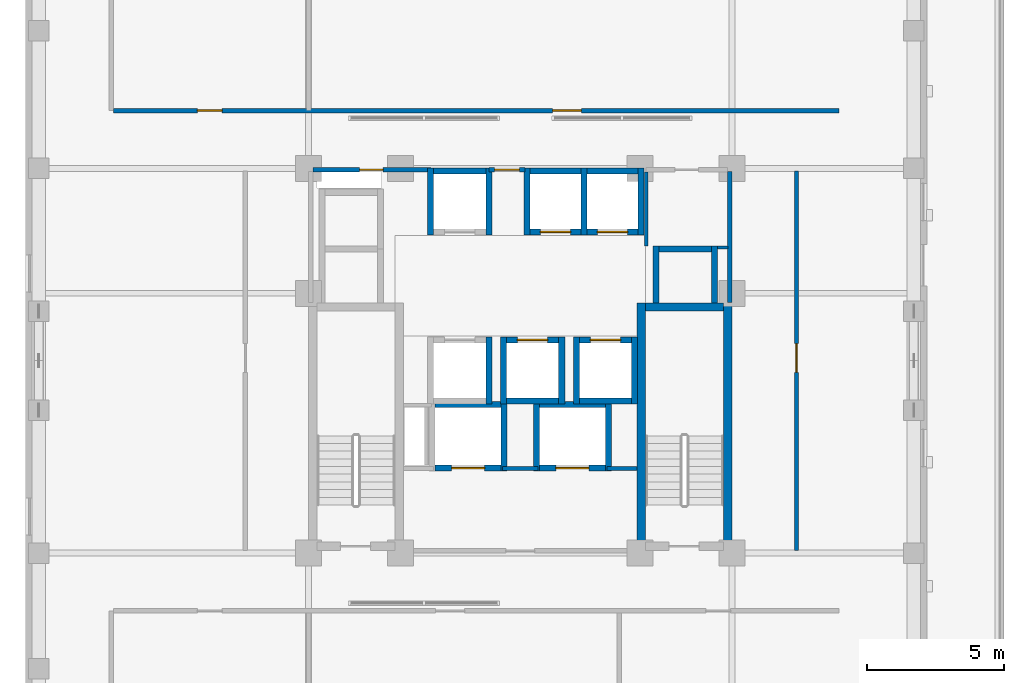
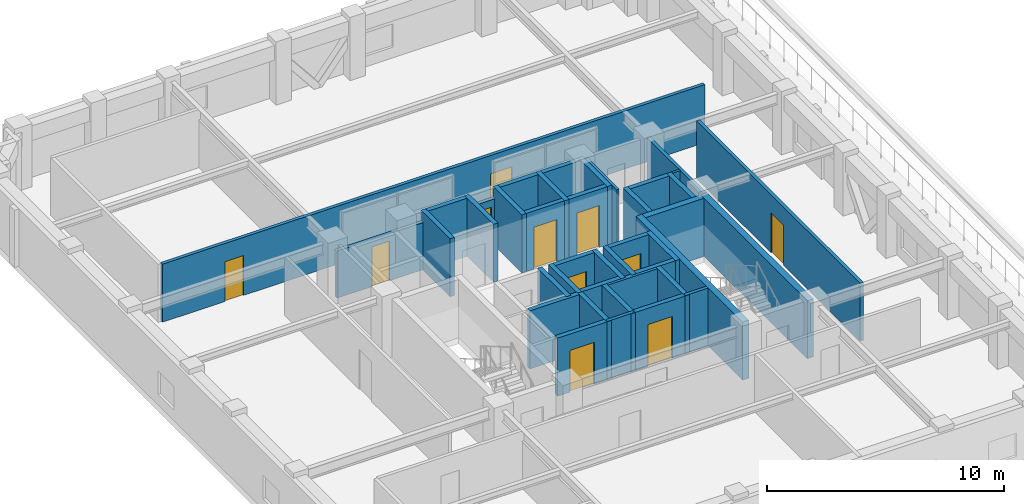
# One storey, part 9 of 15: 41 walls, 11 doors, 11 openings.
"""IFC4 building model written with IfcOpenShell, lengths in metres."""

from ifc_helpers import new_model, si_unit, derived_unit, direction, frame, frame_2d, origin, place, context, subcontext, project, spatial, rectangle, extrude, material, layer, layer_set, type_object, element, fill, save


model = new_model("IFC4")

# Units and contexts
model_context = context("Model", 3, precision=1e-05, world=origin(), true_north=direction((0.0, 1.0)))
body_context = subcontext(model_context, "Body", "Model", "MODEL_VIEW")
ifc_project = project(units=[si_unit("LENGTHUNIT", "METRE"), si_unit("AREAUNIT", "SQUARE_METRE"), si_unit("VOLUMEUNIT", "CUBIC_METRE"), si_unit("PLANEANGLEUNIT", "RADIAN"), si_unit("MASSUNIT", "GRAM", prefix="KILO"), derived_unit("THERMALTRANSMITTANCEUNIT", [(si_unit("MASSUNIT", "GRAM", prefix="KILO"), 1), (si_unit("TIMEUNIT", "SECOND"), -3), (si_unit("THERMODYNAMICTEMPERATUREUNIT", "KELVIN"), -1)])], contexts=[model_context])

# Site, building, storey
site_placement = place(None, origin())
site = spatial("IfcSite", under=ifc_project, at=site_placement, CompositionType="ELEMENT")
building_placement = place(site_placement, origin())
building = spatial("IfcBuilding", under=site, at=building_placement, Name="Korrvale Station Residences", CompositionType="ELEMENT")
storey_placement = place(building_placement, frame((0.0, 0.0, 124.39990234375)))
storey = spatial("IfcBuildingStorey", under=building, at=storey_placement, Name="L35", CompositionType="ELEMENT", Elevation=124.39990234375)

# Walls
ifc_material_1 = material(Name="Concrete C60/75", Category="concrete")
ifc_layer_1 = layer(ifc_material_1, 0.300048828125, Name="Concrete C60/75")
ifc_layer_set_1 = layer_set([ifc_layer_1], Name="Concrete C60/75")
wall_type_1 = type_object("IfcWallType", Name="WAL-CORE-300-C60", PredefinedType="SHEAR", material=ifc_layer_set_1)
for number, where, z_axis, x_axis, name in (
    (1, (29.89990234375, 15.10009765625, 0.0), (0.0, 0.0, 1.0), (0.0, 1.0, 0.0), "L35 ST-2 Core Shear Wall West"),
    (2, (33.050048828125, 15.10009765625, 0.0), (0.0, 0.0, 1.0), (0.0, 1.0, 0.0), "L35 ST-2 Core Shear Wall East"),
):
    element("IfcWall", number, at=place(storey_placement, frame(where, z_axis=z_axis, x_axis=x_axis)), inside=storey, type_object=wall_type_1, Name=name, PredefinedType="SHEAR", context=body_context, shape_type="SweptSolid", body=[
        extrude(rectangle(XDim=9.0, YDim=0.300048828125, at=frame_2d((4.5, 0.0))), origin(), (0.0, 0.0, 1.0), 2.989990234375),
    ])
wall_1_placement = place(storey_placement, frame((30.050048828125, 23.949951171875, 0.0), z_axis=(0.0, 0.0, 1.0), x_axis=(1.0, 0.0, 0.0)))
element("IfcWall", 3, at=wall_1_placement, inside=storey, type_object=wall_type_1, Name="L35 ST-2 Core Shear Wall North", PredefinedType="SHEAR", context=body_context, shape_type="SweptSolid", body=[
    extrude(rectangle(XDim=2.849853515625, YDim=0.300048828125, at=frame_2d((1.4248046875, 0.0))), origin(), (0.0, 0.0, 1.0), 2.989990234375),
])
ifc_material_2 = material(Name="Acoustic steel-stud gypsum board partition", Category="steel")
ifc_layer_2 = layer(ifc_material_2, 0.1201171875, Name="Acoustic steel-stud gypsum board partition")
ifc_layer_set_2 = layer_set([ifc_layer_2], Name="Acoustic steel-stud gypsum board partition")
wall_type_2 = type_object("IfcWallType", Name="WAL-PART-125", PredefinedType="PARTITIONING", material=ifc_layer_set_2)
wall_2_placement = place(storey_placement, frame((30.080078125, 26.179931640625, 0.0), z_axis=(0.0, 0.0, 1.0), x_axis=(0.0, 1.0, 0.0)))
element("IfcWall", 4, at=wall_2_placement, inside=storey, type_object=wall_type_2, Name="L35 Core Partition CW-CS-W", PredefinedType="PARTITIONING", context=body_context, shape_type="SweptSolid", body=[
    extrude(rectangle(XDim=2.68017578125, YDim=0.1201171875, at=frame_2d((1.340087890625, 0.0))), origin(), (0.0, 0.0, 1.0), 2.989990234375),
])
wall_3_placement = place(storey_placement, frame((32.679931640625, 26.1201171875, 0.0), z_axis=(0.0, 0.0, 1.0), x_axis=(1.0, 0.0, 0.0)))
element("IfcWall", 5, at=wall_3_placement, inside=storey, type_object=wall_type_2, Name="L35 Core Partition CW-CS-S", PredefinedType="PARTITIONING", context=body_context, shape_type="SweptSolid", body=[
    extrude(rectangle(XDim=0.380126953125, YDim=0.1201171875, at=frame_2d((0.18994140625, 0.0))), origin(), (0.0, 0.0, 1.0), 2.989990234375),
])
ifc_material_3 = material(Name="Fire-rated twin-stud gypsum and mineral wool shaftwall assembly", Category="gypsum")
ifc_layer_3 = layer(ifc_material_3, 0.159912109375, Name="Fire-rated twin-stud gypsum and mineral wool shaftwall assembly")
ifc_layer_set_3 = layer_set([ifc_layer_3], Name="Fire-rated twin-stud gypsum and mineral wool shaftwall assembly")
wall_type_3 = type_object("IfcWallType", Name="WAL-PART-200", PredefinedType="PARTITIONING", material=ifc_layer_set_3)
wall_4_placement = place(storey_placement, frame((24.85009765625, 18.080078125, 0.0), z_axis=(0.0, 0.0, 1.0), x_axis=(1.0, 0.0, 0.0)))
element("IfcWall", 6, at=wall_4_placement, inside=storey, type_object=wall_type_3, Name="L35 Core Partition CW-FFL-N2", PredefinedType="PARTITIONING", context=body_context, shape_type="SweptSolid", body=[
    extrude(rectangle(XDim=1.2998046875, YDim=0.159912109375, at=frame_2d((0.64990234375, 0.0))), origin(), (0.0, 0.0, 1.0), 2.989990234375),
])
wall_5_placement = place(storey_placement, frame((28.64990234375, 18.080078125, 0.0), z_axis=(0.0, 0.0, 1.0), x_axis=(1.0, 0.0, 0.0)))
element("IfcWall", 7, at=wall_5_placement, inside=storey, type_object=wall_type_3, Name="L35 Core Partition CW-FFL-N3", PredefinedType="PARTITIONING", context=body_context, shape_type="SweptSolid", body=[
    extrude(rectangle(XDim=1.10009765625, YDim=0.159912109375, at=frame_2d((0.550048828125, 0.0))), origin(), (0.0, 0.0, 1.0), 2.989990234375),
])
wall_6_placement = place(storey_placement, frame((33.1201171875, 24.1201171875, 0.0), z_axis=(0.0, 0.0, 1.0), x_axis=(0.0, 1.0, 0.0)))
element("IfcWall", 8, at=wall_6_placement, inside=storey, type_object=wall_type_3, Name="L35 Core Partition CW-E-N", PredefinedType="PARTITIONING", context=body_context, shape_type="SweptSolid", body=[
    extrude(rectangle(XDim=4.759765625, YDim=0.159912109375, at=frame_2d((2.3798828125, 0.0))), origin(), (0.0, 0.0, 1.0), 2.989990234375),
])

# Wall, opening, door
wall_7_placement = place(storey_placement, frame((24.360107421875, 28.949951171875, 0.0), z_axis=(0.0, 0.0, 1.0), x_axis=(1.0, 0.0, 0.0)))
wall_7 = element("IfcWall", 9, at=wall_7_placement, inside=storey, type_object=wall_type_3, Name="L35 Core Partition CW-LLOB-N", PredefinedType="PARTITIONING", context=body_context, shape_type="SweptSolid", body=[
    extrude(rectangle(XDim=1.31982421875, YDim=0.159912109375, at=frame_2d((0.659912109375, 0.0))), origin(), (0.0, 0.0, 1.0), 2.426025390625),
])
opening_1_placement = place(wall_7_placement, frame((0.2099609375, 0.0, 0.0)))
opening_1 = element("IfcOpeningElement", 10, at=opening_1_placement, cuts=wall_7, Name="Opening DI-900", PredefinedType="OPENING", context=body_context, shape_type="SweptSolid", body=[
    extrude(rectangle(XDim=0.89990234375, YDim=2.050048828125, at=frame_2d((0.449951171875, 1.02490234375))), frame((0.0, 0.08984375, 0.0), z_axis=(0.0, -1.0, 0.0), x_axis=(1.0, 0.0, 0.0)), (0.0, 0.0, 1.0), 0.179931640625),
])
ifc_material_4 = material(Name="Painted solid-core timber interior room door", Category="wood")
door_type_1 = type_object("IfcDoorType", Name="DR-INT-900", OperationType="NOTDEFINED", PredefinedType="DOOR", material=ifc_material_4)
door_1_placement = place(opening_1_placement, origin())
door_1 = element("IfcDoor", 11, at=door_1_placement, inside=storey, type_object=door_type_1, Name="L35 Central Hallway North Passage Door", OperationType="SINGLE_SWING_RIGHT", OverallHeight=2.050048828125, OverallWidth=0.89990234375, PredefinedType="DOOR", context=body_context, shape_type="SweptSolid", body=[
    extrude(rectangle(XDim=0.89990234375, YDim=2.050048828125, at=frame_2d((0.449951171875, 1.02490234375))), frame((0.0, 0.02490234375, 0.0), z_axis=(0.0, -1.0, 0.0), x_axis=(1.0, 0.0, 0.0)), (0.0, 0.0, 1.0), 0.050048828125),
])
fill(opening_1, door_1)

wall_8_placement = place(storey_placement, frame((17.9599609375, 28.949951171875, 0.0), z_axis=(0.0, 0.0, 1.0), x_axis=(1.0, 0.0, 0.0)))
wall_8 = element("IfcWall", 12, at=wall_8_placement, inside=storey, type_object=wall_type_3, Name="L35 Core Partition CW-NW", PredefinedType="PARTITIONING", context=body_context, shape_type="SweptSolid", body=[
    extrude(rectangle(XDim=4.2900390625, YDim=0.159912109375, at=frame_2d((2.14501953125, 0.0))), origin(), (0.0, 0.0, 1.0), 2.426025390625),
])
opening_2_placement = place(wall_8_placement, frame((1.695068359375, 0.0, 0.0)))
opening_2 = element("IfcOpeningElement", 13, at=opening_2_placement, cuts=wall_8, Name="Opening DB-860", PredefinedType="OPENING", context=body_context, shape_type="SweptSolid", body=[
    extrude(rectangle(XDim=0.860107421875, YDim=2.050048828125, at=frame_2d((0.43017578125, 1.02490234375))), frame((0.0, 0.08984375, 0.0), z_axis=(0.0, -1.0, 0.0), x_axis=(1.0, 0.0, 0.0)), (0.0, 0.0, 1.0), 0.179931640625),
])
ifc_material_5 = material(Name="Moisture-resistant solid-core bathroom door", Category="timber")
door_type_2 = type_object("IfcDoorType", Name="DR-BATH-860", OperationType="NOTDEFINED", PredefinedType="DOOR", material=ifc_material_5)
door_2_placement = place(opening_2_placement, origin())
door_2 = element("IfcDoor", 14, at=door_2_placement, inside=storey, type_object=door_type_2, Name="L35 Electrical Riser Access Door", OperationType="SINGLE_SWING_LEFT", OverallHeight=2.050048828125, OverallWidth=0.860107421875, PredefinedType="DOOR", context=body_context, shape_type="SweptSolid", body=[
    extrude(rectangle(XDim=0.860107421875, YDim=2.050048828125, at=frame_2d((0.43017578125, 1.02490234375))), frame((0.0, 0.02490234375, 0.0), z_axis=(0.0, -1.0, 0.0), x_axis=(1.0, 0.0, 0.0)), (0.0, 0.0, 1.0), 0.050048828125),
])
fill(opening_2, door_2)

# Wall, openings, doors
wall_9_placement = place(storey_placement, frame((10.699951171875, 31.10009765625, 0.0), z_axis=(0.0, 0.0, 1.0), x_axis=(1.0, 0.0, 0.0)))
wall_9 = element("IfcWall", 15, at=wall_9_placement, inside=storey, type_object=wall_type_3, Name="L35 Interior Partition W-SN", PredefinedType="PARTITIONING", context=body_context, shape_type="SweptSolid", body=[
    extrude(rectangle(XDim=26.400146484375, YDim=0.159912109375, at=frame_2d((13.2001953125, 0.0))), origin(), (0.0, 0.0, 1.0), 2.989990234375),
])
opening_3_placement = place(wall_9_placement, frame((3.050048828125, 0.0, 0.0)))
opening_3 = element("IfcOpeningElement", 16, at=opening_3_placement, cuts=wall_9, Name="Opening DI-900", PredefinedType="OPENING", context=body_context, shape_type="SweptSolid", body=[
    extrude(rectangle(XDim=0.89990234375, YDim=2.050048828125, at=frame_2d((0.449951171875, 1.02490234375))), frame((0.0, 0.08984375, 0.0), z_axis=(0.0, -1.0, 0.0), x_axis=(1.0, 0.0, 0.0)), (0.0, 0.0, 1.0), 0.179931640625),
])
opening_4_placement = place(wall_9_placement, frame((15.97509765625, 0.0, 0.0)))
opening_4 = element("IfcOpeningElement", 17, at=opening_4_placement, cuts=wall_9, Name="Opening FD-1050", PredefinedType="OPENING", context=body_context, shape_type="SweptSolid", body=[
    extrude(rectangle(XDim=1.050048828125, YDim=2.050048828125, at=frame_2d((0.52490234375, 1.02490234375))), frame((0.0, 0.08984375, 0.0), z_axis=(0.0, -1.0, 0.0), x_axis=(1.0, 0.0, 0.0)), (0.0, 0.0, 1.0), 0.179931640625),
])
ifc_material_6 = material(Name="Fire-rated mineral-core timber lobby door", Category="wood")
door_type_3 = type_object("IfcDoorType", Name="DR-CORE-1050", OperationType="NOTDEFINED", PredefinedType="DOOR", material=ifc_material_6)
door_3_placement = place(opening_4_placement, origin())
door_3 = element("IfcDoor", 18, at=door_3_placement, inside=storey, type_object=door_type_3, Name="L35 Sky Lobby Hall Door", OperationType="SINGLE_SWING_LEFT", OverallHeight=2.050048828125, OverallWidth=1.050048828125, PredefinedType="DOOR", context=body_context, shape_type="SweptSolid", body=[
    extrude(rectangle(XDim=1.050048828125, YDim=2.050048828125, at=frame_2d((0.52490234375, 1.02490234375))), frame((0.0, 0.02490234375, 0.0), z_axis=(0.0, -1.0, 0.0), x_axis=(1.0, 0.0, 0.0)), (0.0, 0.0, 1.0), 0.050048828125),
])
fill(opening_4, door_3)
door_4_placement = place(opening_3_placement, origin())
door_4 = element("IfcDoor", 19, at=door_4_placement, inside=storey, type_object=door_type_1, Name="L35 Sky Lobby Washrooms Door", OperationType="SINGLE_SWING_RIGHT", OverallHeight=2.050048828125, OverallWidth=0.89990234375, PredefinedType="DOOR", context=body_context, shape_type="SweptSolid", body=[
    extrude(rectangle(XDim=0.89990234375, YDim=2.050048828125, at=frame_2d((0.449951171875, 1.02490234375))), frame((0.0, 0.02490234375, 0.0), z_axis=(0.0, -1.0, 0.0), x_axis=(1.0, 0.0, 0.0)), (0.0, 0.0, 1.0), 0.050048828125),
])
fill(opening_3, door_4)

# Wall, opening, door
wall_10_placement = place(storey_placement, frame((35.550048828125, 15.10009765625, 0.0), z_axis=(0.0, 0.0, 1.0), x_axis=(0.0, 1.0, 0.0)))
wall_10 = element("IfcWall", 20, at=wall_10_placement, inside=storey, type_object=wall_type_3, Name="L35 Interior Partition W-SE", PredefinedType="PARTITIONING", context=body_context, shape_type="SweptSolid", body=[
    extrude(rectangle(XDim=13.7998046875, YDim=0.159912109375, at=frame_2d((6.89990234375, 0.0))), origin(), (0.0, 0.0, 1.0), 2.989990234375),
])
opening_5_placement = place(wall_10_placement, frame((6.47509765625, 0.0, 0.0)))
opening_5 = element("IfcOpeningElement", 21, at=opening_5_placement, cuts=wall_10, Name="Opening FD-1050", PredefinedType="OPENING", context=body_context, shape_type="SweptSolid", body=[
    extrude(rectangle(XDim=1.050048828125, YDim=2.050048828125, at=frame_2d((0.52490234375, 1.02490234375))), frame((0.0, 0.08984375, 0.0), z_axis=(0.0, -1.0, 0.0), x_axis=(1.0, 0.0, 0.0)), (0.0, 0.0, 1.0), 0.179931640625),
])
door_5_placement = place(opening_5_placement, origin())
door_5 = element("IfcDoor", 22, at=door_5_placement, inside=storey, type_object=door_type_3, Name="L35 Terrace Vestibule Door", OperationType="SINGLE_SWING_LEFT", OverallHeight=2.050048828125, OverallWidth=1.050048828125, PredefinedType="DOOR", context=body_context, shape_type="SweptSolid", body=[
    extrude(rectangle(XDim=1.050048828125, YDim=2.050048828125, at=frame_2d((0.52490234375, 1.02490234375))), frame((0.0, 0.02490234375, 0.0), z_axis=(0.0, -1.0, 0.0), x_axis=(1.0, 0.0, 0.0)), (0.0, 0.0, 1.0), 0.050048828125),
])
fill(opening_5, door_5)

# Walls
ifc_layer_4 = layer(ifc_material_1, 0.219970703125, Name="Concrete C60/75")
ifc_layer_set_4 = layer_set([ifc_layer_4], Name="Concrete C60/75")
wall_type_4 = type_object("IfcWallType", Name="WAL-SHAFT-220-C60", PredefinedType="SHEAR", material=ifc_layer_set_4)
wall_11_placement = place(storey_placement, frame((22.35009765625, 28.909912109375, 0.0), z_axis=(0.0, 0.0, 1.0), x_axis=(1.0, 0.0, 0.0)))
element("IfcWall", 23, at=wall_11_placement, inside=storey, type_object=wall_type_4, Name="L35 Elevator PL-1 Hoistway Wall North", PredefinedType="SHEAR", context=body_context, shape_type="SweptSolid", body=[
    extrude(rectangle(XDim=1.89990234375, YDim=0.219970703125, at=frame_2d((0.949951171875, 0.0))), origin(), (0.0, 0.0, 1.0), 2.989990234375),
])
for number, where, z_axis, x_axis, name in (
    (24, (22.239990234375, 26.580078125, 0.0), (0.0, 0.0, 1.0), (0.0, 1.0, 0.0), "L35 Elevator PL-1 Hoistway Wall West"),
    (25, (24.360107421875, 26.580078125, 0.0), (0.0, 0.0, 1.0), (0.0, 1.0, 0.0), "L35 Elevator PL-1 Hoistway Wall East"),
):
    element("IfcWall", number, at=place(storey_placement, frame(where, z_axis=z_axis, x_axis=x_axis)), inside=storey, type_object=wall_type_4, Name=name, PredefinedType="SHEAR", context=body_context, shape_type="SweptSolid", body=[
        extrude(rectangle(XDim=2.43994140625, YDim=0.219970703125, at=frame_2d((1.219970703125, 0.0))), origin(), (0.0, 0.0, 1.0), 2.989990234375),
    ])

# Wall, opening, door
wall_12_placement = place(storey_placement, frame((25.85009765625, 26.68994140625, 0.0), z_axis=(0.0, 0.0, 1.0), x_axis=(1.0, 0.0, 0.0)))
wall_12 = element("IfcWall", 26, at=wall_12_placement, inside=storey, type_object=wall_type_4, Name="L35 Elevator PL-2 Hoistway Wall South", PredefinedType="SHEAR", context=body_context, shape_type="SweptSolid", body=[
    extrude(rectangle(XDim=1.85986328125, YDim=0.219970703125, at=frame_2d((0.929931640625, 0.0))), origin(), (0.0, 0.0, 1.0), 2.989990234375),
])
opening_6_placement = place(wall_12_placement, frame((0.3798828125, 0.0, 0.0)))
opening_6 = element("IfcOpeningElement", 27, at=opening_6_placement, cuts=wall_12, Name="Opening LD-1100", PredefinedType="OPENING", context=body_context, shape_type="SweptSolid", body=[
    extrude(rectangle(XDim=1.10009765625, YDim=2.14990234375, at=frame_2d((0.550048828125, 1.074951171875))), frame((0.0, 0.1201171875, 0.0), z_axis=(0.0, -1.0, 0.0), x_axis=(1.0, 0.0, 0.0)), (0.0, 0.0, 1.0), 0.239990234375),
])
ifc_material_7 = material(Name="Brushed stainless-steel elevator landing sliding door", Category="steel")
door_type_4 = type_object("IfcDoorType", Name="DR-LIFT-1100", OperationType="SLIDING_TO_LEFT", PredefinedType="DOOR", material=ifc_material_7)
door_6_placement = place(opening_6_placement, origin())
door_6 = element("IfcDoor", 28, at=door_6_placement, inside=storey, type_object=door_type_4, Name="L35 Elevator PL-2 Sliding Landing Door", OperationType="SLIDING_TO_LEFT", OverallHeight=2.14990234375, OverallWidth=1.10009765625, PredefinedType="DOOR", context=body_context, shape_type="SweptSolid", body=[
    extrude(rectangle(XDim=1.10009765625, YDim=2.14990234375, at=frame_2d((0.550048828125, 1.074951171875))), frame((0.0, 0.02490234375, 0.0), z_axis=(0.0, -1.0, 0.0), x_axis=(1.0, 0.0, 0.0)), (0.0, 0.0, 1.0), 0.050048828125),
])
fill(opening_6, door_6)

# Walls
wall_13_placement = place(storey_placement, frame((25.85009765625, 28.909912109375, 0.0), z_axis=(0.0, 0.0, 1.0), x_axis=(1.0, 0.0, 0.0)))
element("IfcWall", 29, at=wall_13_placement, inside=storey, type_object=wall_type_4, Name="L35 Elevator PL-2 Hoistway Wall North", PredefinedType="SHEAR", context=body_context, shape_type="SweptSolid", body=[
    extrude(rectangle(XDim=1.85986328125, YDim=0.219970703125, at=frame_2d((0.929931640625, 0.0))), origin(), (0.0, 0.0, 1.0), 2.989990234375),
])
for number, where, z_axis, x_axis, name in (
    (30, (25.739990234375, 26.580078125, 0.0), (0.0, 0.0, 1.0), (0.0, 1.0, 0.0), "L35 Elevator PL-2 Hoistway Wall West"),
    (31, (27.820068359375, 26.580078125, 0.0), (0.0, 0.0, 1.0), (0.0, 1.0, 0.0), "L35 Elevator PL-2 Hoistway Wall East"),
):
    element("IfcWall", number, at=place(storey_placement, frame(where, z_axis=z_axis, x_axis=x_axis)), inside=storey, type_object=wall_type_4, Name=name, PredefinedType="SHEAR", context=body_context, shape_type="SweptSolid", body=[
        extrude(rectangle(XDim=2.43994140625, YDim=0.219970703125, at=frame_2d((1.219970703125, 0.0))), origin(), (0.0, 0.0, 1.0), 2.989990234375),
    ])

# Wall, opening, door
wall_14_placement = place(storey_placement, frame((27.929931640625, 26.68994140625, 0.0), z_axis=(0.0, 0.0, 1.0), x_axis=(1.0, 0.0, 0.0)))
wall_14 = element("IfcWall", 32, at=wall_14_placement, inside=storey, type_object=wall_type_4, Name="L35 Elevator PL-3 Hoistway Wall South", PredefinedType="SHEAR", context=body_context, shape_type="SweptSolid", body=[
    extrude(rectangle(XDim=1.860107421875, YDim=0.219970703125, at=frame_2d((0.93017578125, 0.0))), origin(), (0.0, 0.0, 1.0), 2.989990234375),
])
opening_7_placement = place(wall_14_placement, frame((0.3798828125, 0.0, 0.0)))
opening_7 = element("IfcOpeningElement", 33, at=opening_7_placement, cuts=wall_14, Name="Opening LD-1100", PredefinedType="OPENING", context=body_context, shape_type="SweptSolid", body=[
    extrude(rectangle(XDim=1.10009765625, YDim=2.14990234375, at=frame_2d((0.550048828125, 1.074951171875))), frame((0.0, 0.1201171875, 0.0), z_axis=(0.0, -1.0, 0.0), x_axis=(1.0, 0.0, 0.0)), (0.0, 0.0, 1.0), 0.239990234375),
])
door_7_placement = place(opening_7_placement, origin())
door_7 = element("IfcDoor", 34, at=door_7_placement, inside=storey, type_object=door_type_4, Name="L35 Elevator PL-3 Sliding Landing Door", OperationType="SLIDING_TO_LEFT", OverallHeight=2.14990234375, OverallWidth=1.10009765625, PredefinedType="DOOR", context=body_context, shape_type="SweptSolid", body=[
    extrude(rectangle(XDim=1.10009765625, YDim=2.14990234375, at=frame_2d((0.550048828125, 1.074951171875))), frame((0.0, 0.02490234375, 0.0), z_axis=(0.0, -1.0, 0.0), x_axis=(1.0, 0.0, 0.0)), (0.0, 0.0, 1.0), 0.050048828125),
])
fill(opening_7, door_7)

# Walls
wall_15_placement = place(storey_placement, frame((27.929931640625, 28.909912109375, 0.0), z_axis=(0.0, 0.0, 1.0), x_axis=(1.0, 0.0, 0.0)))
element("IfcWall", 35, at=wall_15_placement, inside=storey, type_object=wall_type_4, Name="L35 Elevator PL-3 Hoistway Wall North", PredefinedType="SHEAR", context=body_context, shape_type="SweptSolid", body=[
    extrude(rectangle(XDim=1.860107421875, YDim=0.219970703125, at=frame_2d((0.93017578125, 0.0))), origin(), (0.0, 0.0, 1.0), 2.989990234375),
])
wall_16_placement = place(storey_placement, frame((29.89990234375, 26.580078125, 0.0), z_axis=(0.0, 0.0, 1.0), x_axis=(0.0, 1.0, 0.0)))
element("IfcWall", 36, at=wall_16_placement, inside=storey, type_object=wall_type_4, Name="L35 Elevator PL-3 Hoistway Wall East", PredefinedType="SHEAR", context=body_context, shape_type="SweptSolid", body=[
    extrude(rectangle(XDim=2.43994140625, YDim=0.219970703125, at=frame_2d((1.219970703125, 0.0))), origin(), (0.0, 0.0, 1.0), 2.989990234375),
])
wall_17_placement = place(storey_placement, frame((24.360107421875, 20.429931640625, 0.0), z_axis=(0.0, 0.0, 1.0), x_axis=(0.0, 1.0, 0.0)))
element("IfcWall", 37, at=wall_17_placement, inside=storey, type_object=wall_type_4, Name="L35 Elevator PM-1 Hoistway Wall East", PredefinedType="SHEAR", context=body_context, shape_type="SweptSolid", body=[
    extrude(rectangle(XDim=2.440185546875, YDim=0.219970703125, at=frame_2d((1.22021484375, 0.0))), origin(), (0.0, 0.0, 1.0), 2.989990234375),
])
wall_18_placement = place(storey_placement, frame((25.0, 20.5400390625, 0.0), z_axis=(0.0, 0.0, 1.0), x_axis=(1.0, 0.0, 0.0)))
element("IfcWall", 38, at=wall_18_placement, inside=storey, type_object=wall_type_4, Name="L35 Elevator PM-2 Hoistway Wall South", PredefinedType="SHEAR", context=body_context, shape_type="SweptSolid", body=[
    extrude(rectangle(XDim=1.89990234375, YDim=0.219970703125, at=frame_2d((0.949951171875, 0.0))), origin(), (0.0, 0.0, 1.0), 2.989990234375),
])

# Wall, opening, door
wall_19_placement = place(storey_placement, frame((25.0, 22.760009765625, 0.0), z_axis=(0.0, 0.0, 1.0), x_axis=(1.0, 0.0, 0.0)))
wall_19 = element("IfcWall", 39, at=wall_19_placement, inside=storey, type_object=wall_type_4, Name="L35 Elevator PM-2 Hoistway Wall North", PredefinedType="SHEAR", context=body_context, shape_type="SweptSolid", body=[
    extrude(rectangle(XDim=1.89990234375, YDim=0.219970703125, at=frame_2d((0.949951171875, 0.0))), origin(), (0.0, 0.0, 1.0), 2.989990234375),
])
opening_8_placement = place(wall_19_placement, frame((0.39990234375, 0.0, 0.0)))
opening_8 = element("IfcOpeningElement", 40, at=opening_8_placement, cuts=wall_19, Name="Opening LD-1100", PredefinedType="OPENING", context=body_context, shape_type="SweptSolid", body=[
    extrude(rectangle(XDim=1.10009765625, YDim=2.14990234375, at=frame_2d((0.550048828125, 1.074951171875))), frame((0.0, 0.1201171875, 0.0), z_axis=(0.0, -1.0, 0.0), x_axis=(1.0, 0.0, 0.0)), (0.0, 0.0, 1.0), 0.239990234375),
])
door_8_placement = place(opening_8_placement, origin())
door_8 = element("IfcDoor", 41, at=door_8_placement, inside=storey, type_object=door_type_4, Name="L35 Elevator PM-2 Sliding Landing Door", OperationType="SLIDING_TO_LEFT", OverallHeight=2.14990234375, OverallWidth=1.10009765625, PredefinedType="DOOR", context=body_context, shape_type="SweptSolid", body=[
    extrude(rectangle(XDim=1.10009765625, YDim=2.14990234375, at=frame_2d((0.550048828125, 1.074951171875))), frame((0.0, 0.02490234375, 0.0), z_axis=(0.0, -1.0, 0.0), x_axis=(1.0, 0.0, 0.0)), (0.0, 0.0, 1.0), 0.050048828125),
])
fill(opening_8, door_8)

# Walls
for number, where, z_axis, x_axis, name in (
    (42, (24.889892578125, 20.429931640625, 0.0), (0.0, 0.0, 1.0), (0.0, 1.0, 0.0), "L35 Elevator PM-2 Hoistway Wall West"),
    (43, (27.010009765625, 20.429931640625, 0.0), (0.0, 0.0, 1.0), (0.0, 1.0, 0.0), "L35 Elevator PM-2 Hoistway Wall East"),
):
    element("IfcWall", number, at=place(storey_placement, frame(where, z_axis=z_axis, x_axis=x_axis)), inside=storey, type_object=wall_type_4, Name=name, PredefinedType="SHEAR", context=body_context, shape_type="SweptSolid", body=[
        extrude(rectangle(XDim=2.440185546875, YDim=0.219970703125, at=frame_2d((1.22021484375, 0.0))), origin(), (0.0, 0.0, 1.0), 2.989990234375),
    ])
wall_20_placement = place(storey_placement, frame((27.64990234375, 20.5400390625, 0.0), z_axis=(0.0, 0.0, 1.0), x_axis=(1.0, 0.0, 0.0)))
element("IfcWall", 44, at=wall_20_placement, inside=storey, type_object=wall_type_4, Name="L35 Elevator PM-3 Hoistway Wall South", PredefinedType="SHEAR", context=body_context, shape_type="SweptSolid", body=[
    extrude(rectangle(XDim=1.900146484375, YDim=0.219970703125, at=frame_2d((0.9501953125, 0.0))), origin(), (0.0, 0.0, 1.0), 2.989990234375),
])

# Wall, opening, door
wall_21_placement = place(storey_placement, frame((27.64990234375, 22.760009765625, 0.0), z_axis=(0.0, 0.0, 1.0), x_axis=(1.0, 0.0, 0.0)))
wall_21 = element("IfcWall", 45, at=wall_21_placement, inside=storey, type_object=wall_type_4, Name="L35 Elevator PM-3 Hoistway Wall North", PredefinedType="SHEAR", context=body_context, shape_type="SweptSolid", body=[
    extrude(rectangle(XDim=1.900146484375, YDim=0.219970703125, at=frame_2d((0.9501953125, 0.0))), origin(), (0.0, 0.0, 1.0), 2.989990234375),
])
opening_9_placement = place(wall_21_placement, frame((0.39990234375, 0.0, 0.0)))
opening_9 = element("IfcOpeningElement", 46, at=opening_9_placement, cuts=wall_21, Name="Opening LD-1100", PredefinedType="OPENING", context=body_context, shape_type="SweptSolid", body=[
    extrude(rectangle(XDim=1.10009765625, YDim=2.14990234375, at=frame_2d((0.550048828125, 1.074951171875))), frame((0.0, 0.1201171875, 0.0), z_axis=(0.0, -1.0, 0.0), x_axis=(1.0, 0.0, 0.0)), (0.0, 0.0, 1.0), 0.239990234375),
])
door_9_placement = place(opening_9_placement, origin())
door_9 = element("IfcDoor", 47, at=door_9_placement, inside=storey, type_object=door_type_4, Name="L35 Elevator PM-3 Sliding Landing Door", OperationType="SLIDING_TO_LEFT", OverallHeight=2.14990234375, OverallWidth=1.10009765625, PredefinedType="DOOR", context=body_context, shape_type="SweptSolid", body=[
    extrude(rectangle(XDim=1.10009765625, YDim=2.14990234375, at=frame_2d((0.550048828125, 1.074951171875))), frame((0.0, 0.02490234375, 0.0), z_axis=(0.0, -1.0, 0.0), x_axis=(1.0, 0.0, 0.0)), (0.0, 0.0, 1.0), 0.050048828125),
])
fill(opening_9, door_9)

# Walls
for number, where, z_axis, x_axis, name in (
    (48, (27.5400390625, 20.429931640625, 0.0), (0.0, 0.0, 1.0), (0.0, 1.0, 0.0), "L35 Elevator PM-3 Hoistway Wall West"),
    (49, (29.659912109375, 20.429931640625, 0.0), (0.0, 0.0, 1.0), (0.0, 1.0, 0.0), "L35 Elevator PM-3 Hoistway Wall East"),
):
    element("IfcWall", number, at=place(storey_placement, frame(where, z_axis=z_axis, x_axis=x_axis)), inside=storey, type_object=wall_type_4, Name=name, PredefinedType="SHEAR", context=body_context, shape_type="SweptSolid", body=[
        extrude(rectangle(XDim=2.440185546875, YDim=0.219970703125, at=frame_2d((1.22021484375, 0.0))), origin(), (0.0, 0.0, 1.0), 2.989990234375),
    ])
wall_22_placement = place(storey_placement, frame((30.550048828125, 26.06005859375, 0.0), z_axis=(0.0, 0.0, 1.0), x_axis=(1.0, 0.0, 0.0)))
element("IfcWall", 50, at=wall_22_placement, inside=storey, type_object=wall_type_4, Name="L35 Elevator PH-3 Hoistway Wall North", PredefinedType="SHEAR", context=body_context, shape_type="SweptSolid", body=[
    extrude(rectangle(XDim=1.89990234375, YDim=0.219970703125, at=frame_2d((0.949951171875, 0.0))), origin(), (0.0, 0.0, 1.0), 2.989990234375),
])
for number, where, z_axis, x_axis, name in (
    (51, (30.43994140625, 24.10009765625, 0.0), (0.0, 0.0, 1.0), (0.0, 1.0, 0.0), "L35 Elevator PH-3 Hoistway Wall West"),
    (52, (32.56005859375, 24.10009765625, 0.0), (0.0, 0.0, 1.0), (0.0, 1.0, 0.0), "L35 Elevator PH-3 Hoistway Wall East"),
):
    element("IfcWall", number, at=place(storey_placement, frame(where, z_axis=z_axis, x_axis=x_axis)), inside=storey, type_object=wall_type_4, Name=name, PredefinedType="SHEAR", context=body_context, shape_type="SweptSolid", body=[
        extrude(rectangle(XDim=2.06982421875, YDim=0.219970703125, at=frame_2d((1.034912109375, 0.0))), origin(), (0.0, 0.0, 1.0), 2.989990234375),
    ])

# Wall, opening, door
wall_23_placement = place(storey_placement, frame((22.39990234375, 18.090087890625, 0.0), z_axis=(0.0, 0.0, 1.0), x_axis=(1.0, 0.0, 0.0)))
wall_23 = element("IfcWall", 53, at=wall_23_placement, inside=storey, type_object=wall_type_4, Name="L35 Elevator FFL-1 Hoistway Wall South", PredefinedType="SHEAR", context=body_context, shape_type="SweptSolid", body=[
    extrude(rectangle(XDim=2.400146484375, YDim=0.219970703125, at=frame_2d((1.2001953125, 0.0))), origin(), (0.0, 0.0, 1.0), 2.989990234375),
])
opening_10_placement = place(wall_23_placement, frame((0.60009765625, 0.0, 0.0)))
opening_10 = element("IfcOpeningElement", 54, at=opening_10_placement, cuts=wall_23, Name="Opening LD-FF1200", PredefinedType="OPENING", context=body_context, shape_type="SweptSolid", body=[
    extrude(rectangle(XDim=1.199951171875, YDim=2.14990234375, at=frame_2d((0.60009765625, 1.074951171875))), frame((0.0, 0.1201171875, 0.0), z_axis=(0.0, -1.0, 0.0), x_axis=(1.0, 0.0, 0.0)), (0.0, 0.0, 1.0), 0.239990234375),
])
ifc_material_8 = material(Name="Stainless-steel firefighter elevator landing sliding door", Category="steel")
door_type_5 = type_object("IfcDoorType", Name="DR-LIFT-FF1200", OperationType="SLIDING_TO_LEFT", PredefinedType="DOOR", material=ifc_material_8)
door_10_placement = place(opening_10_placement, origin())
door_10 = element("IfcDoor", 55, at=door_10_placement, inside=storey, type_object=door_type_5, Name="L35 Elevator FFL-1 Sliding Landing Door", OperationType="SLIDING_TO_LEFT", OverallHeight=2.14990234375, OverallWidth=1.199951171875, PredefinedType="DOOR", context=body_context, shape_type="SweptSolid", body=[
    extrude(rectangle(XDim=1.199951171875, YDim=2.14990234375, at=frame_2d((0.60009765625, 1.074951171875))), frame((0.0, 0.02490234375, 0.0), z_axis=(0.0, -1.0, 0.0), x_axis=(1.0, 0.0, 0.0)), (0.0, 0.0, 1.0), 0.050048828125),
])
fill(opening_10, door_10)

# Walls
wall_24_placement = place(storey_placement, frame((22.39990234375, 20.409912109375, 0.0), z_axis=(0.0, 0.0, 1.0), x_axis=(1.0, 0.0, 0.0)))
element("IfcWall", 56, at=wall_24_placement, inside=storey, type_object=wall_type_4, Name="L35 Elevator FFL-1 Hoistway Wall North", PredefinedType="SHEAR", context=body_context, shape_type="SweptSolid", body=[
    extrude(rectangle(XDim=2.400146484375, YDim=0.219970703125, at=frame_2d((1.2001953125, 0.0))), origin(), (0.0, 0.0, 1.0), 2.989990234375),
])
wall_25_placement = place(storey_placement, frame((24.909912109375, 17.97998046875, 0.0), z_axis=(0.0, 0.0, 1.0), x_axis=(0.0, 1.0, 0.0)))
element("IfcWall", 57, at=wall_25_placement, inside=storey, type_object=wall_type_4, Name="L35 Elevator FFL-1 Hoistway Wall East", PredefinedType="SHEAR", context=body_context, shape_type="SweptSolid", body=[
    extrude(rectangle(XDim=2.5400390625, YDim=0.219970703125, at=frame_2d((1.27001953125, 0.0))), origin(), (0.0, 0.0, 1.0), 2.989990234375),
])

# Wall, opening, door
wall_26_placement = place(storey_placement, frame((26.199951171875, 18.090087890625, 0.0), z_axis=(0.0, 0.0, 1.0), x_axis=(1.0, 0.0, 0.0)))
wall_26 = element("IfcWall", 58, at=wall_26_placement, inside=storey, type_object=wall_type_4, Name="L35 Elevator FFL-2 Hoistway Wall South", PredefinedType="SHEAR", context=body_context, shape_type="SweptSolid", body=[
    extrude(rectangle(XDim=2.400146484375, YDim=0.219970703125, at=frame_2d((1.2001953125, 0.0))), origin(), (0.0, 0.0, 1.0), 2.989990234375),
])
opening_11_placement = place(wall_26_placement, frame((0.60009765625, 0.0, 0.0)))
opening_11 = element("IfcOpeningElement", 59, at=opening_11_placement, cuts=wall_26, Name="Opening LD-FF1200", PredefinedType="OPENING", context=body_context, shape_type="SweptSolid", body=[
    extrude(rectangle(XDim=1.199951171875, YDim=2.14990234375, at=frame_2d((0.60009765625, 1.074951171875))), frame((0.0, 0.1201171875, 0.0), z_axis=(0.0, -1.0, 0.0), x_axis=(1.0, 0.0, 0.0)), (0.0, 0.0, 1.0), 0.239990234375),
])
door_11_placement = place(opening_11_placement, origin())
door_11 = element("IfcDoor", 60, at=door_11_placement, inside=storey, type_object=door_type_5, Name="L35 Elevator FFL-2 Sliding Landing Door", OperationType="SLIDING_TO_LEFT", OverallHeight=2.14990234375, OverallWidth=1.199951171875, PredefinedType="DOOR", context=body_context, shape_type="SweptSolid", body=[
    extrude(rectangle(XDim=1.199951171875, YDim=2.14990234375, at=frame_2d((0.60009765625, 1.074951171875))), frame((0.0, 0.02490234375, 0.0), z_axis=(0.0, -1.0, 0.0), x_axis=(1.0, 0.0, 0.0)), (0.0, 0.0, 1.0), 0.050048828125),
])
fill(opening_11, door_11)

# Walls
wall_27_placement = place(storey_placement, frame((26.199951171875, 20.409912109375, 0.0), z_axis=(0.0, 0.0, 1.0), x_axis=(1.0, 0.0, 0.0)))
element("IfcWall", 61, at=wall_27_placement, inside=storey, type_object=wall_type_4, Name="L35 Elevator FFL-2 Hoistway Wall North", PredefinedType="SHEAR", context=body_context, shape_type="SweptSolid", body=[
    extrude(rectangle(XDim=2.400146484375, YDim=0.219970703125, at=frame_2d((1.2001953125, 0.0))), origin(), (0.0, 0.0, 1.0), 2.989990234375),
])
for number, where, z_axis, x_axis, name in (
    (62, (26.090087890625, 17.97998046875, 0.0), (0.0, 0.0, 1.0), (0.0, 1.0, 0.0), "L35 Elevator FFL-2 Hoistway Wall West"),
    (63, (28.7099609375, 17.97998046875, 0.0), (0.0, 0.0, 1.0), (0.0, 1.0, 0.0), "L35 Elevator FFL-2 Hoistway Wall East"),
):
    element("IfcWall", number, at=place(storey_placement, frame(where, z_axis=z_axis, x_axis=x_axis)), inside=storey, type_object=wall_type_4, Name=name, PredefinedType="SHEAR", context=body_context, shape_type="SweptSolid", body=[
        extrude(rectangle(XDim=2.5400390625, YDim=0.219970703125, at=frame_2d((1.27001953125, 0.0))), origin(), (0.0, 0.0, 1.0), 2.989990234375),
    ])

save(model, "model.ifc")
